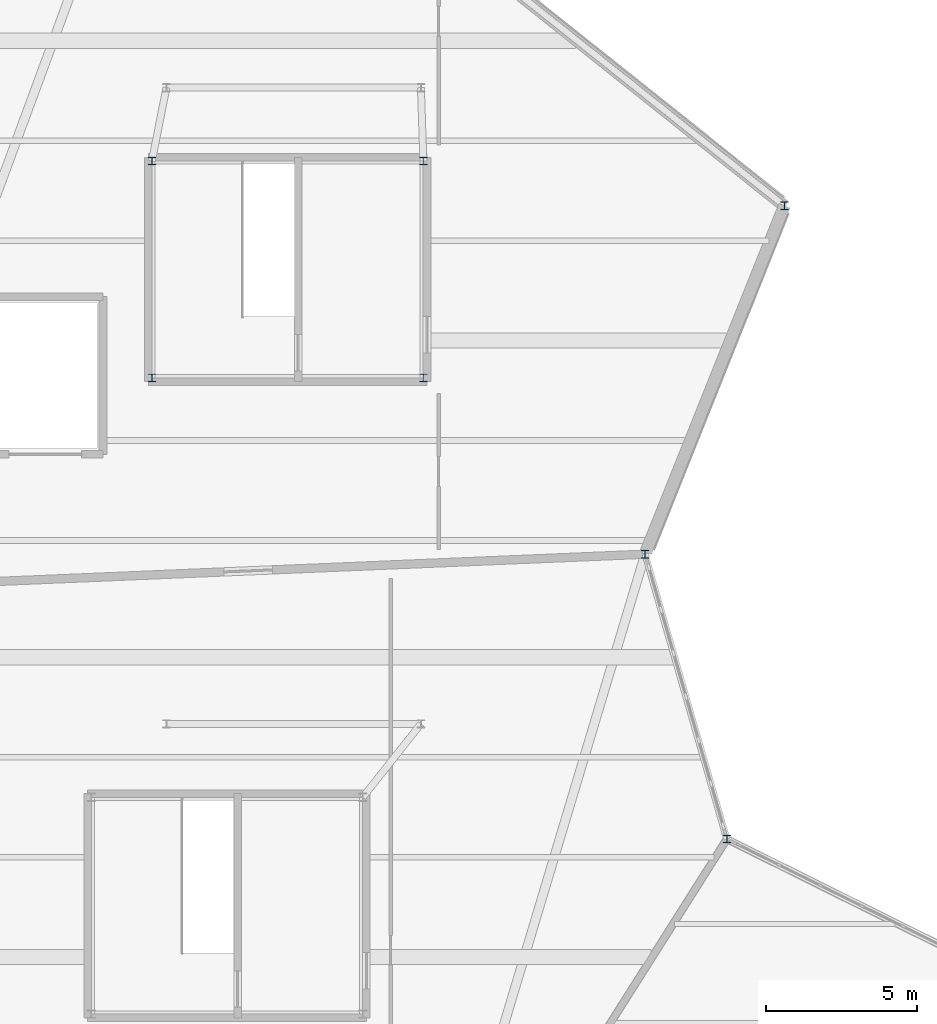
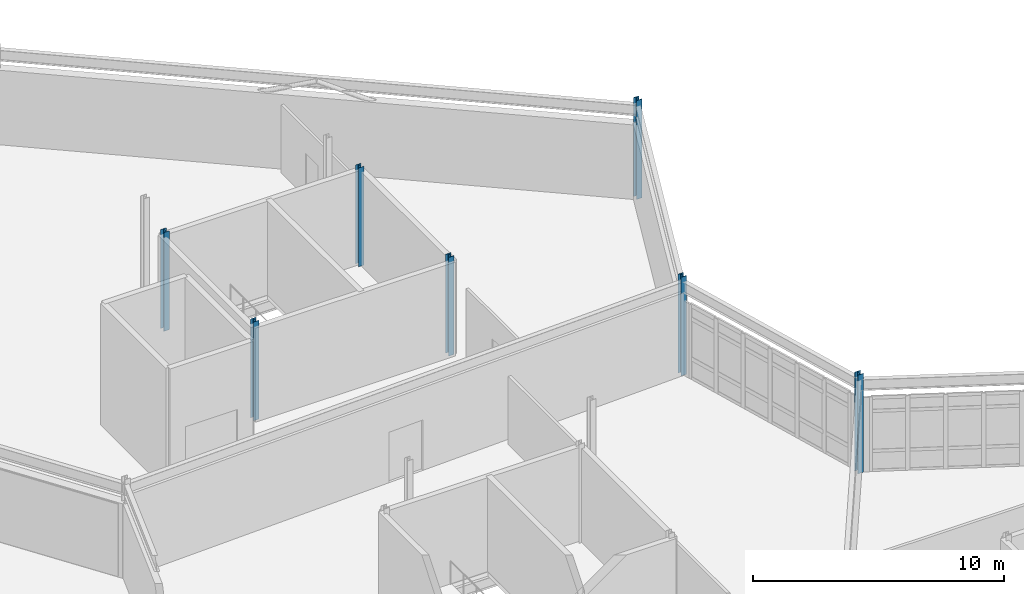
# One storey, part 8 of 76: 7 columns.
"""IFC4 building model written with IfcOpenShell, lengths in metres."""

from ifc_helpers import new_model, si_unit, direction, frame, origin, origin_2d, place, context, subcontext, project, spatial, i_section, extrude, material, material_profile, profile_set, type_object, element, save


model = new_model("IFC4")

# Units and contexts
model_context = context("Model", 3, precision=1e-05, world=origin(), true_north=direction((0.0, 1.0)))
body_context = subcontext(model_context, "Body", "Model", "MODEL_VIEW")
ifc_project = project(units=[si_unit("LENGTHUNIT", "METRE"), si_unit("AREAUNIT", "SQUARE_METRE"), si_unit("VOLUMEUNIT", "CUBIC_METRE"), si_unit("PLANEANGLEUNIT", "RADIAN"), si_unit("MASSUNIT", "GRAM", prefix="KILO")], contexts=[model_context])

# Site, building, storey
site_placement = place(None, origin())
site = spatial("IfcSite", under=ifc_project, at=site_placement, CompositionType="ELEMENT")
building_placement = place(site_placement, origin())
building = spatial("IfcBuilding", under=site, at=building_placement, Name="Tameran Prism Museum", CompositionType="ELEMENT")
storey_placement = place(building_placement, frame((0.0, 0.0, 15.0)))
storey = spatial("IfcBuildingStorey", under=building, at=storey_placement, Name="L03", CompositionType="ELEMENT", Elevation=15.0)

# Columns
ifc_material = material(Name="Steel Grade 300PLUS (300 MPa)", Category="steel")
ifc_material_profile = material_profile(ifc_material, i_section(OverallWidth=0.25390625, OverallDepth=0.25390625, WebThickness=0.008544921875, FlangeThickness=0.01416015625, FilletRadius=0.0126953125, at=origin_2d()))
ifc_profile_set = profile_set([ifc_material_profile])
column_type = type_object("IfcColumnType", Name="COL-UC250B", PredefinedType="COLUMN", material=ifc_profile_set)
for number, where, z_axis, x_axis, name in (
    (1, (57.800048828125, 82.60009765625, 0.0), (0.0, 0.0, 1.0), (1.0, 0.0, 0.0), "Column CV-29 L03"),
    (2, (60.5, 73.199951171875, 0.0), (0.0, 0.0, 1.0), (1.0, 0.0, 0.0), "Column CV-30 L03"),
    (3, (62.39990234375, 94.10009765625, 0.0), (0.0, 0.0, 1.0), (1.0, 0.0, 0.0), "Column CV-31 L03"),
    (4, (41.52001953125, 88.419921875, 0.0), (0.0, 0.0, 1.0), (1.0, 0.0, 0.0), "Column CC-14-1 L03"),
    (5, (50.47998046875, 88.419921875, 0.0), (0.0, 0.0, 1.0), (1.0, 0.0, 0.0), "Column CC-14-2 L03"),
    (6, (50.47998046875, 95.580078125, 0.0), (0.0, 0.0, 1.0), (1.0, 0.0, 0.0), "Column CC-14-3 L03"),
    (7, (41.52001953125, 95.580078125, 0.0), (0.0, 0.0, 1.0), (1.0, 0.0, 0.0), "Column CC-14-4 L03"),
):
    element("IfcColumn", number, at=place(storey_placement, frame(where, z_axis=z_axis, x_axis=x_axis)), inside=storey, type_object=column_type, Name=name, PredefinedType="COLUMN", context=body_context, shape_type="SweptSolid", body=[
        extrude(i_section(OverallWidth=0.25390625, OverallDepth=0.25390625, WebThickness=0.008544921875, FlangeThickness=0.01416015625, FilletRadius=0.0126953125, at=origin_2d()), origin(), (0.0, 0.0, 1.0), 4.800048828125),
    ])

save(model, "model.ifc")
